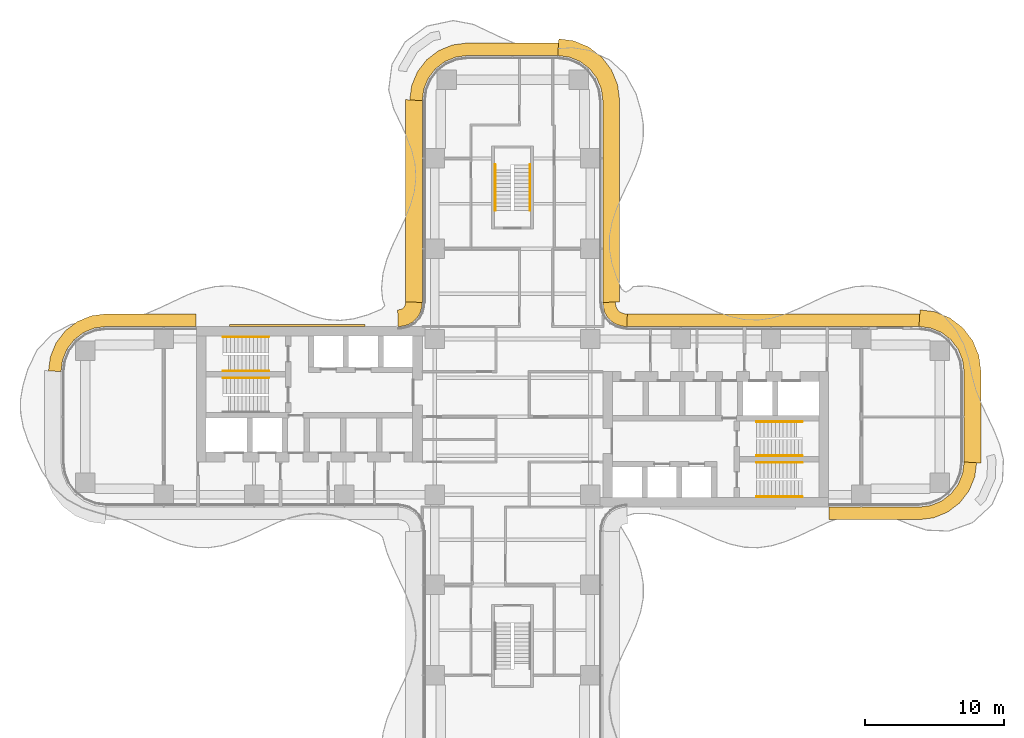
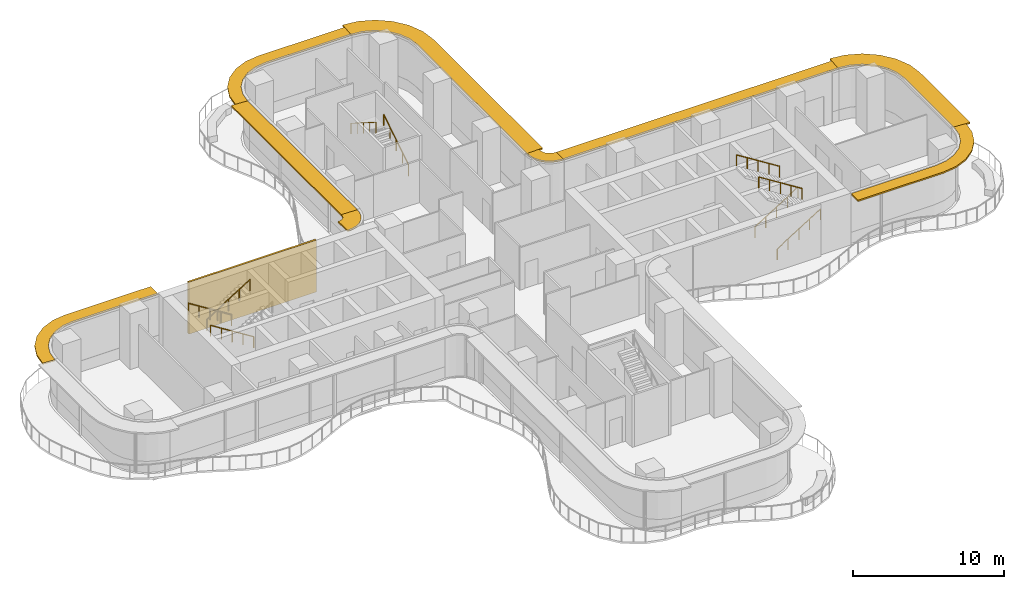
# One storey, part 22 of 22: 9 railings, 9 shading devices, 1 covering.
"""IFC4 building model written with IfcOpenShell, lengths in metres."""

from ifc_helpers import new_model, si_unit, direction, frame, origin, origin_2d, place, context, subcontext, project, spatial, polyline, circle, outline, extrude, source, transform, mapped, material, layer, layer_set, type_object, element, save


model = new_model("IFC4")

# Units and contexts
model_context = context("Model", 3, precision=1e-05, world=origin(), true_north=direction((0.0, 1.0)))
body_context = subcontext(model_context, "Body", "Model", "MODEL_VIEW")
ifc_project = project(units=[si_unit("LENGTHUNIT", "METRE"), si_unit("AREAUNIT", "SQUARE_METRE"), si_unit("VOLUMEUNIT", "CUBIC_METRE"), si_unit("PLANEANGLEUNIT", "RADIAN"), si_unit("MASSUNIT", "GRAM", prefix="KILO")], contexts=[model_context])

# Site, building, storey
site_placement = place(None, origin())
site = spatial("IfcSite", under=ifc_project, at=site_placement, CompositionType="ELEMENT")
building_placement = place(site_placement, origin())
building = spatial("IfcBuilding", under=site, at=building_placement, Name="Trellis Farm Tower", CompositionType="ELEMENT")
storey_placement = place(building_placement, frame((0.0, 0.0, 88.0)))
storey = spatial("IfcBuildingStorey", under=building, at=storey_placement, Name="L18", CompositionType="ELEMENT", Elevation=88.0)

# Covering
ifc_material_1 = material(Name="Perforated precast screen (cobogo)", Category="concrete")
ifc_layer_1 = layer(ifc_material_1, 0.14990234375)
ifc_layer_set_1 = layer_set([ifc_layer_1], Name="COBOGO SCREEN PANEL")
covering_type = type_object("IfcCoveringType", Name="COBOGO SCREEN PANEL", PredefinedType="USERDEFINED", material=ifc_layer_set_1)
covering_placement = place(storey_placement, origin())
element("IfcCovering", 1, at=covering_placement, inside=storey, type_object=covering_type, Name="SC1 02", ObjectType="SCREEN", PredefinedType="USERDEFINED", context=body_context, shape_type="SweptSolid", body=[
    extrude(outline(polyline([(-10.630615234375, 6.64990234375), (-20.380615234375, 6.64990234375), (-20.380615234375, 6.5), (-10.630615234375, 6.5), (-10.630615234375, 6.64990234375)])), origin(), (0.0, 0.0, 1.0), 4.199951171875),
])

# Railings
ifc_material_2 = material(Name="Stainless steel", Category="steel")
railing_type = type_object("IfcRailingType", Name="STAIR HANDRAIL 900", PredefinedType="HANDRAIL", material=ifc_material_2)
shared_shape_1 = source(origin(), body_context, "Body", "SweptSolid", [
    extrude(circle(Radius=0.02392578125, at=origin_2d()), frame((0.0, 0.0, 0.8759765625), z_axis=(0.0, 0.846319618018, 0.532675421018), x_axis=(-1.0, 0.0, 0.0)), (0.0, 0.0, 1.0), 3.89892578125),
    extrude(circle(Radius=0.02099609375, at=origin_2d()), origin(), (0.0, 0.0, 1.0), 0.851806640625),
    extrude(circle(Radius=0.02099609375, at=origin_2d()), frame((0.0, 0.824951171875, 0.519287109375)), (0.0, 0.0, 1.0), 0.851806640625),
    extrude(circle(Radius=0.02099609375, at=origin_2d()), frame((0.0, 1.64990234375, 1.03857421875)), (0.0, 0.0, 1.0), 0.851806640625),
    extrude(circle(Radius=0.02099609375, at=origin_2d()), frame((0.0, 2.474853515625, 1.5576171875)), (0.0, 0.0, 1.0), 0.851806640625),
    extrude(circle(Radius=0.02099609375, at=origin_2d()), frame((0.0, 3.2998046875, 2.076904296875)), (0.0, 0.0, 1.0), 0.851806640625),
])
railing_1_placement = place(storey_placement, frame((1.25, 14.85009765625, 0.173095703125)))
element("IfcRailing", 2, at=railing_1_placement, inside=storey, type_object=railing_type, Name="Stair handrail", PredefinedType="HANDRAIL", context=body_context, shape_type="MappedRepresentation", body=[
    mapped(shared_shape_1, transform((0.0, 0.0, 0.0))),
])
shared_shape_2 = source(origin(), body_context, "Body", "SweptSolid", [
    extrude(circle(Radius=0.02392578125, at=origin_2d()), frame((0.0, 0.0, 0.8759765625), z_axis=(0.0, -0.846319618018, 0.532675421018), x_axis=(1.0, 0.0, 0.0)), (0.0, 0.0, 1.0), 3.89892578125),
    extrude(circle(Radius=0.02099609375, at=origin_2d()), origin(), (0.0, 0.0, 1.0), 0.851806640625),
    extrude(circle(Radius=0.02099609375, at=origin_2d()), frame((0.0, -0.824951171875, 0.519287109375)), (0.0, 0.0, 1.0), 0.851806640625),
    extrude(circle(Radius=0.02099609375, at=origin_2d()), frame((0.0, -1.64990234375, 1.03857421875)), (0.0, 0.0, 1.0), 0.851806640625),
    extrude(circle(Radius=0.02099609375, at=origin_2d()), frame((0.0, -2.474853515625, 1.5576171875)), (0.0, 0.0, 1.0), 0.851806640625),
    extrude(circle(Radius=0.02099609375, at=origin_2d()), frame((0.0, -3.2998046875, 2.076904296875)), (0.0, 0.0, 1.0), 0.851806640625),
])
railing_2_placement = place(storey_placement, frame((-1.25, 18.14990234375, 2.423095703125)))
element("IfcRailing", 3, at=railing_2_placement, inside=storey, type_object=railing_type, Name="Stair handrail", PredefinedType="HANDRAIL", context=body_context, shape_type="MappedRepresentation", body=[
    mapped(shared_shape_2, transform((0.0, 0.0, 0.0))),
])
shared_shape_3 = source(origin(), body_context, "Body", "SweptSolid", [
    extrude(circle(Radius=0.02392578125, at=origin_2d()), frame((0.0, 0.0, 0.8759765625), z_axis=(0.846337383501, 0.0, 0.532647194011), x_axis=(0.0, 1.0, 0.0)), (0.0, 0.0, 1.0), 3.899169921875),
    extrude(circle(Radius=0.02099609375, at=origin_2d()), origin(), (0.0, 0.0, 1.0), 0.851806640625),
    extrude(circle(Radius=0.02099609375, at=origin_2d()), frame((0.824951171875, 0.0, 0.519287109375)), (0.0, 0.0, 1.0), 0.851806640625),
    extrude(circle(Radius=0.02099609375, at=origin_2d()), frame((1.64990234375, 0.0, 1.03857421875)), (0.0, 0.0, 1.0), 0.851806640625),
    extrude(circle(Radius=0.02099609375, at=origin_2d()), frame((2.47509765625, 0.0, 1.5576171875)), (0.0, 0.0, 1.0), 0.851806640625),
    extrude(circle(Radius=0.02099609375, at=origin_2d()), frame((3.300048828125, 0.0, 2.076904296875)), (0.0, 0.0, 1.0), 0.851806640625),
])
for number, where, name in (
    (4, (17.550048828125, -5.75, 0.173095703125), "Stair handrail"),
    (5, (17.550048828125, -2.800048828125, 0.173095703125), "Stair handrail"),
    (6, (-20.85009765625, 3.300048828125, 2.423095703125), "Stair handrail"),
):
    element("IfcRailing", number, at=place(storey_placement, frame(where)), inside=storey, type_object=railing_type, Name=name, PredefinedType="HANDRAIL", context=body_context, shape_type="MappedRepresentation", body=[
        mapped(shared_shape_3, transform((0.0, 0.0, 0.0))),
    ])
shared_shape_4 = source(origin(), body_context, "Body", "SweptSolid", [
    extrude(circle(Radius=0.02392578125, at=origin_2d()), frame((0.0, 0.0, 0.8759765625), z_axis=(-0.846337383501, 0.0, 0.532647194011), x_axis=(0.0, -1.0, 0.0)), (0.0, 0.0, 1.0), 3.899169921875),
    extrude(circle(Radius=0.02099609375, at=origin_2d()), origin(), (0.0, 0.0, 1.0), 0.851806640625),
    extrude(circle(Radius=0.02099609375, at=origin_2d()), frame((-0.824951171875, 0.0, 0.519287109375)), (0.0, 0.0, 1.0), 0.851806640625),
    extrude(circle(Radius=0.02099609375, at=origin_2d()), frame((-1.64990234375, 0.0, 1.03857421875)), (0.0, 0.0, 1.0), 0.851806640625),
    extrude(circle(Radius=0.02099609375, at=origin_2d()), frame((-2.47509765625, 0.0, 1.5576171875)), (0.0, 0.0, 1.0), 0.851806640625),
    extrude(circle(Radius=0.02099609375, at=origin_2d()), frame((-3.300048828125, 0.0, 2.076904296875)), (0.0, 0.0, 1.0), 0.851806640625),
])
for number, where, name in (
    (7, (20.85009765625, -3.300048828125, 2.423095703125), "Stair handrail"),
    (8, (20.85009765625, -0.35009765625, 2.423095703125), "Stair handrail"),
    (9, (-17.550048828125, 5.75, 0.173095703125), "Stair handrail"),
    (10, (-17.550048828125, 2.800048828125, 0.173095703125), "Stair handrail"),
):
    element("IfcRailing", number, at=place(storey_placement, frame(where)), inside=storey, type_object=railing_type, Name=name, PredefinedType="HANDRAIL", context=body_context, shape_type="MappedRepresentation", body=[
        mapped(shared_shape_4, transform((0.0, 0.0, 0.0))),
    ])

# Shading devices
ifc_material_3 = material(Name="Aluminium extrusion 6063-T6", Category="aluminium")
ifc_layer_2 = layer(ifc_material_3, 0.1201171875)
ifc_layer_set_2 = layer_set([ifc_layer_2], Name="SUNSHADE BLADE 900")
shading_device_type_1 = type_object("IfcShadingDeviceType", Name="SUNSHADE BLADE 900", PredefinedType="USERDEFINED", material=ifc_layer_set_2)
shared_shape_5 = source(origin(), body_context, "Body", "SweptSolid", [
    extrude(outline(polyline([(22.780029296875, -7.39990234375), (29.30908203125, -7.39990234375), (30.326171875, -7.26611328125), (31.328857421875, -6.850830078125), (32.18994140625, -6.18994140625), (32.850830078125, -5.328857421875), (33.26611328125, -4.326171875), (33.39990234375, -3.30908203125), (32.5, -3.25), (32.38916015625, -4.091064453125), (32.064697265625, -4.875), (31.548095703125, -5.548095703125), (30.875, -6.064697265625), (30.091064453125, -6.38916015625), (29.25, -6.5), (22.780029296875, -6.5), (22.780029296875, -7.39990234375)])), origin(), (0.0, 0.0, 1.0), 0.119873046875),
])
placement = place(storey_placement, frame((0.0, 0.0, 4.0400390625)))
element("IfcShadingDevice", 11, at=placement, inside=storey, type_object=shading_device_type_1, Name="SD1 007", ObjectType="SUNSHADE", PredefinedType="USERDEFINED", context=body_context, shape_type="MappedRepresentation", body=[
    mapped(shared_shape_5, transform((0.0, 0.0, 0.0))),
])
ifc_layer_3 = layer(ifc_material_3, 0.1201171875)
ifc_layer_set_3 = layer_set([ifc_layer_3], Name="SUNSHADE BLADE 1200")
shading_device_type_2 = type_object("IfcShadingDeviceType", Name="SUNSHADE BLADE 1200", PredefinedType="USERDEFINED", material=ifc_layer_set_3)
shared_shape_6 = source(origin(), body_context, "Body", "SweptSolid", [
    extrude(outline(polyline([(33.699951171875, -3.32861328125), (33.699951171875, 3.32861328125), (33.558349609375, 4.404541015625), (33.11279296875, 5.480224609375), (32.404052734375, 6.404052734375), (31.480224609375, 7.11279296875), (30.404541015625, 7.558349609375), (29.32861328125, 7.699951171875), (29.25, 6.5), (30.091064453125, 6.38916015625), (30.875, 6.064697265625), (31.548095703125, 5.548095703125), (32.064697265625, 4.875), (32.38916015625, 4.091064453125), (32.5, 3.25), (32.5, -3.25), (33.699951171875, -3.32861328125)])), origin(), (0.0, 0.0, 1.0), 0.119873046875),
])
element("IfcShadingDevice", 12, at=placement, inside=storey, type_object=shading_device_type_2, Name="SD2 008", ObjectType="SUNSHADE", PredefinedType="USERDEFINED", context=body_context, shape_type="MappedRepresentation", body=[
    mapped(shared_shape_6, transform((0.0, 0.0, 0.0))),
])
shared_shape_7 = source(origin(), body_context, "Body", "SweptSolid", [
    extrude(outline(polyline([(29.30908203125, 7.39990234375), (8.2607421875, 7.39990234375), (8.2314453125, 6.5), (29.25, 6.5), (29.30908203125, 7.39990234375)])), origin(), (0.0, 0.0, 1.0), 0.119873046875),
])
element("IfcShadingDevice", 13, at=placement, inside=storey, type_object=shading_device_type_1, Name="SD1 009", ObjectType="SUNSHADE", PredefinedType="USERDEFINED", context=body_context, shape_type="MappedRepresentation", body=[
    mapped(shared_shape_7, transform((0.0, 0.0, 0.0))),
])
shared_shape_8 = source(origin(), body_context, "Body", "SweptSolid", [
    extrude(outline(polyline([(8.2607421875, 7.39990234375), (8.107666015625, 7.409912109375), (8.091552734375, 7.412109375), (7.85595703125, 7.475341796875), (7.697021484375, 7.567138671875), (7.567138671875, 7.697021484375), (7.475341796875, 7.85595703125), (7.412109375, 8.091552734375), (7.409912109375, 8.107666015625), (7.39990234375, 8.2607421875), (6.5, 8.2314453125), (6.513916015625, 8.01953125), (6.527587890625, 7.91552734375), (6.63671875, 7.508544921875), (6.846923828125, 7.144287109375), (7.144287109375, 6.846923828125), (7.508544921875, 6.63671875), (7.91552734375, 6.527587890625), (8.01953125, 6.513916015625), (8.2314453125, 6.5), (8.2607421875, 7.39990234375)])), origin(), (0.0, 0.0, 1.0), 0.119873046875),
])
element("IfcShadingDevice", 14, at=placement, inside=storey, type_object=shading_device_type_1, Name="SD1 010", ObjectType="SUNSHADE", PredefinedType="USERDEFINED", context=body_context, shape_type="MappedRepresentation", body=[
    mapped(shared_shape_8, transform((0.0, 0.0, 0.0))),
])
shared_shape_9 = source(origin(), body_context, "Body", "SweptSolid", [
    extrude(outline(polyline([(-7.699951171875, 8.270751953125), (-7.708740234375, 8.13720703125), (-7.70703125, 8.150146484375), (-7.7548828125, 7.9716796875), (-7.80712890625, 7.881103515625), (-7.881103515625, 7.80712890625), (-7.9716796875, 7.7548828125), (-8.150146484375, 7.70703125), (-8.13720703125, 7.708740234375), (-8.270751953125, 7.699951171875), (-8.2314453125, 6.5), (-8.01953125, 6.513916015625), (-7.91552734375, 6.527587890625), (-7.508544921875, 6.63671875), (-7.144287109375, 6.846923828125), (-6.846923828125, 7.144287109375), (-6.63671875, 7.508544921875), (-6.527587890625, 7.91552734375), (-6.513916015625, 8.01953125), (-6.5, 8.2314453125), (-7.699951171875, 8.270751953125)])), origin(), (0.0, 0.0, 1.0), 0.119873046875),
])
element("IfcShadingDevice", 15, at=placement, inside=storey, type_object=shading_device_type_2, Name="SD2 014", ObjectType="SUNSHADE", PredefinedType="USERDEFINED", context=body_context, shape_type="MappedRepresentation", body=[
    mapped(shared_shape_9, transform((0.0, 0.0, 0.0))),
])
shared_shape_10 = source(origin(), body_context, "Body", "SweptSolid", [
    extrude(outline(polyline([(-22.780029296875, 7.39990234375), (-29.30908203125, 7.39990234375), (-30.326171875, 7.26611328125), (-31.328857421875, 6.850830078125), (-32.18994140625, 6.18994140625), (-32.850830078125, 5.328857421875), (-33.26611328125, 4.326171875), (-33.39990234375, 3.30908203125), (-32.5, 3.25), (-32.38916015625, 4.091064453125), (-32.064697265625, 4.875), (-31.548095703125, 5.548095703125), (-30.875, 6.064697265625), (-30.091064453125, 6.38916015625), (-29.25, 6.5), (-22.780029296875, 6.5), (-22.780029296875, 7.39990234375)])), origin(), (0.0, 0.0, 1.0), 0.119873046875),
])
element("IfcShadingDevice", 16, at=placement, inside=storey, type_object=shading_device_type_1, Name="SD1 015", ObjectType="SUNSHADE", PredefinedType="USERDEFINED", context=body_context, shape_type="MappedRepresentation", body=[
    mapped(shared_shape_10, transform((0.0, 0.0, 0.0))),
])
shared_shape_11 = source(origin(), body_context, "Body", "SweptSolid", [
    extrude(outline(polyline([(7.699951171875, 8.270751953125), (7.699951171875, 22.82861328125), (7.558349609375, 23.904541015625), (7.11279296875, 24.980224609375), (6.404052734375, 25.904052734375), (5.480224609375, 26.61279296875), (4.404541015625, 27.058349609375), (3.32861328125, 27.199951171875), (3.25, 26.0), (4.091064453125, 25.88916015625), (4.875, 25.564697265625), (5.548095703125, 25.048095703125), (6.064697265625, 24.375), (6.38916015625, 23.591064453125), (6.5, 22.75), (6.5, 8.2314453125), (7.699951171875, 8.270751953125)])), origin(), (0.0, 0.0, 1.0), 0.119873046875),
])
element("IfcShadingDevice", 17, at=placement, inside=storey, type_object=shading_device_type_2, Name="SD2 011", ObjectType="SUNSHADE", PredefinedType="USERDEFINED", context=body_context, shape_type="MappedRepresentation", body=[
    mapped(shared_shape_11, transform((0.0, 0.0, 0.0))),
])
shared_shape_12 = source(origin(), body_context, "Body", "SweptSolid", [
    extrude(outline(polyline([(3.30908203125, 26.89990234375), (-3.30908203125, 26.89990234375), (-4.326171875, 26.76611328125), (-5.328857421875, 26.350830078125), (-6.18994140625, 25.68994140625), (-6.850830078125, 24.828857421875), (-7.26611328125, 23.826171875), (-7.39990234375, 22.80908203125), (-6.5, 22.75), (-6.38916015625, 23.591064453125), (-6.064697265625, 24.375), (-5.548095703125, 25.048095703125), (-4.875, 25.564697265625), (-4.091064453125, 25.88916015625), (-3.25, 26.0), (3.25, 26.0), (3.30908203125, 26.89990234375)])), origin(), (0.0, 0.0, 1.0), 0.119873046875),
])
element("IfcShadingDevice", 18, at=placement, inside=storey, type_object=shading_device_type_1, Name="SD1 012", ObjectType="SUNSHADE", PredefinedType="USERDEFINED", context=body_context, shape_type="MappedRepresentation", body=[
    mapped(shared_shape_12, transform((0.0, 0.0, 0.0))),
])
shared_shape_13 = source(origin(), body_context, "Body", "SweptSolid", [
    extrude(outline(polyline([(-7.699951171875, 22.82861328125), (-7.699951171875, 8.270751953125), (-6.5, 8.2314453125), (-6.5, 22.75), (-7.699951171875, 22.82861328125)])), origin(), (0.0, 0.0, 1.0), 0.119873046875),
])
element("IfcShadingDevice", 19, at=placement, inside=storey, type_object=shading_device_type_2, Name="SD2 013", ObjectType="SUNSHADE", PredefinedType="USERDEFINED", context=body_context, shape_type="MappedRepresentation", body=[
    mapped(shared_shape_13, transform((0.0, 0.0, 0.0))),
])

save(model, "model.ifc")
